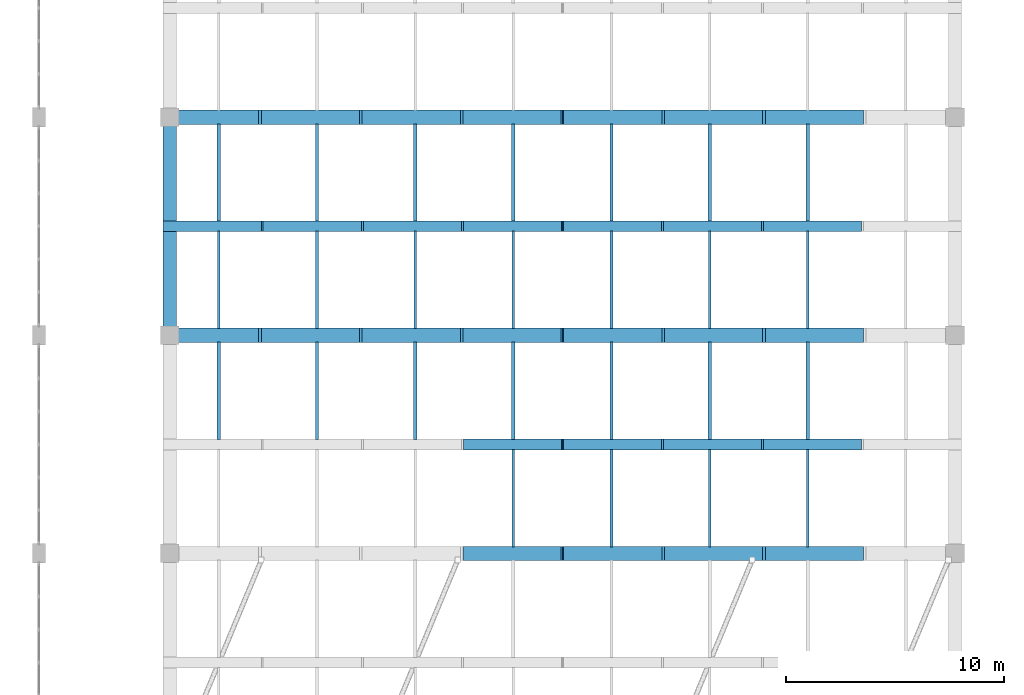
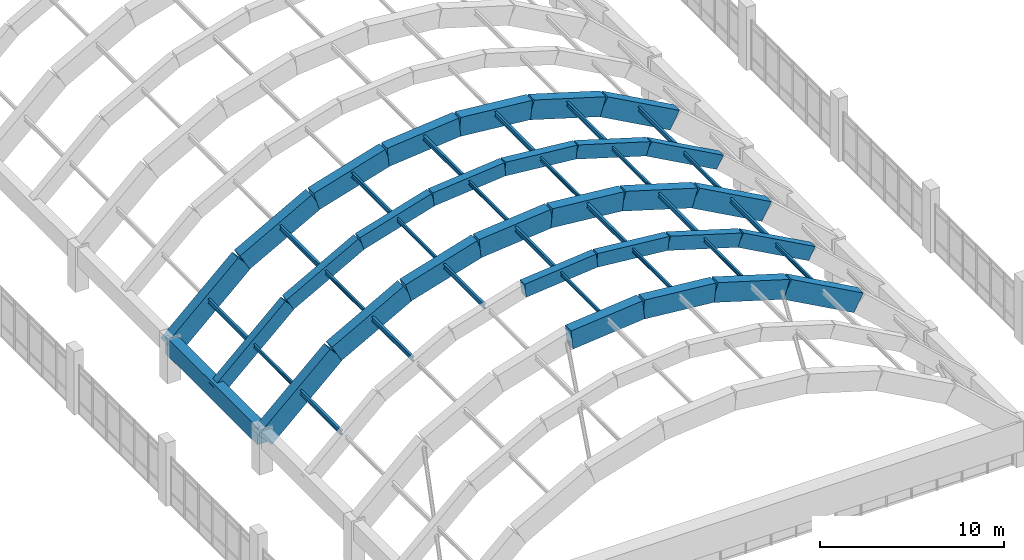
# One storey, part 68 of 111: 30 beams, 25 members.
"""IFC4 building model written with IfcOpenShell, lengths in metres."""

import ifcopenshell
import ifcopenshell.guid

model = None  # the IFC model being written
_history = None  # IfcOwnerHistory: only IFC2X3 demands one
_inside = {}  # id of a spatial element -> (the spatial element, [elements in it])
_under = {}  # id of a project, library or spatial element -> (it, [spatial elements below it])
_declared = {}  # id of a project -> (the project, [libraries it declares])
_typed = {}  # id of a type object -> (the type object, [elements of that type])
_made_of = {}  # id of a material, layer set ... -> (it, [elements and type objects made of it])


def new_model(schema):
    """Start an empty IFC model of exactly this schema.

    Asked for "IFC4X3", IfcOpenShell would pick the latest addendum, in which some entities
    have other attributes; the version numbers below select the first issue.
    IFC2X3 requires an IfcOwnerHistory on every rooted entity: one is made here for all.
    """
    global model, _history
    if schema == "IFC4X3":
        model = ifcopenshell.file(schema_version=(4, 3, 0, 0))
    else:
        model = ifcopenshell.file(schema=schema)
    _inside.clear()
    _under.clear()
    _declared.clear()
    _typed.clear()
    _made_of.clear()
    _history = None
    if model.schema == "IFC2X3":
        org = make("IfcOrganization", Name="unknown")
        user = make(
            "IfcPersonAndOrganization",
            ThePerson=make("IfcPerson", FamilyName="unknown"),
            TheOrganization=org,
        )
        app = make(
            "IfcApplication",
            ApplicationDeveloper=org,
            Version="unknown",
            ApplicationFullName="unknown",
            ApplicationIdentifier="unknown",
        )
        _history = make(
            "IfcOwnerHistory",
            OwningUser=user,
            OwningApplication=app,
            ChangeAction="ADDED",
            CreationDate=0,
        )
    return model


def make(cls, **values):
    """One entity of the class cls with the attributes given. An attribute that is None is left unset."""
    return model.create_entity(
        cls, **{name: value for name, value in values.items() if value is not None}
    )


def rooted(cls, **values):
    """An entity with a GlobalId (a new one), such as an element, a storey or a relation."""
    return make(cls, GlobalId=ifcopenshell.guid.new(), OwnerHistory=_history, **values)


def si_unit(unit_type, name, prefix=None):
    """IfcSIUnit, for example si_unit("LENGTHUNIT", "METRE", prefix="MILLI")."""
    return make("IfcSIUnit", UnitType=unit_type, Prefix=prefix, Name=name)


def assignment(units):
    """IfcUnitAssignment: the units of a project."""
    return None if units is None else make("IfcUnitAssignment", Units=units)


def point(xyz):
    """IfcCartesianPoint."""
    return None if xyz is None else make("IfcCartesianPoint", Coordinates=xyz)


def direction(xyz):
    """IfcDirection."""
    return None if xyz is None else make("IfcDirection", DirectionRatios=xyz)


def frame(location, z_axis=None, x_axis=None):
    """IfcAxis2Placement3D, a coordinate frame: its origin and axes. An axis left out is left unset."""
    return make(
        "IfcAxis2Placement3D",
        Location=point(location),
        Axis=direction(z_axis),
        RefDirection=direction(x_axis),
    )


def frame_2d(location, x_axis=None):
    """IfcAxis2Placement2D, a coordinate frame in the plane: its origin and x axis."""
    return make(
        "IfcAxis2Placement2D", Location=point(location), RefDirection=direction(x_axis)
    )


def origin():
    """The frame at (0, 0, 0) with its axes left unset."""
    return frame((0.0, 0.0, 0.0))


def origin_2d():
    """The frame at (0, 0) in the plane with its x axis left unset."""
    return frame_2d((0.0, 0.0))


def place(relative_to, where):
    """IfcLocalPlacement: puts the frame where relative to a parent placement (None: the world)."""
    return make(
        "IfcLocalPlacement", PlacementRelTo=relative_to, RelativePlacement=where
    )


def context(
    kind, dimensions, precision=None, world=None, true_north=None, identifier=None
):
    """IfcGeometricRepresentationContext, for example the 3D "Model" context."""
    return make(
        "IfcGeometricRepresentationContext",
        ContextIdentifier=identifier,
        ContextType=kind,
        CoordinateSpaceDimension=dimensions,
        Precision=precision,
        WorldCoordinateSystem=world,
        TrueNorth=true_north,
    )


def subcontext(parent, identifier, kind, view, scale=None):
    """IfcGeometricRepresentationSubContext, for example "Body" below "Model"."""
    return make(
        "IfcGeometricRepresentationSubContext",
        ContextIdentifier=identifier,
        ContextType=kind,
        ParentContext=parent,
        TargetScale=scale,
        TargetView=view,
    )


def project(units=None, contexts=None):
    """IfcProject with its units and contexts."""
    return rooted(
        "IfcProject",
        Name="project",
        RepresentationContexts=contexts,
        UnitsInContext=assignment(units),
    )


def spatial(cls, under=None, at=None, **own):
    """A site, building, storey or space (cls), placed at a placement, below another one or the project."""
    s = rooted(cls, ObjectPlacement=at, **own)
    if under is not None:
        _under.setdefault(under.id(), (under, []))[1].append(s)
    return s


def profile(cls, at=None, kind="AREA", **sizes):
    """A parametric profile (cls). Its sizes go by their IFC names, for example OverallWidth=200.0."""
    return make(cls, ProfileType=kind, Position=at, **sizes)


def rectangle(**sizes):
    """IfcRectangleProfileDef."""
    return profile("IfcRectangleProfileDef", **sizes)


def i_section(**sizes):
    """IfcIShapeProfileDef."""
    return profile("IfcIShapeProfileDef", **sizes)


def extrude(swept, where, along, depth):
    """IfcExtrudedAreaSolid: the profile swept, set in the frame where, extruded along a direction by depth."""
    return make(
        "IfcExtrudedAreaSolid",
        SweptArea=swept,
        Position=where,
        ExtrudedDirection=direction(along),
        Depth=depth,
    )


def shape(context_of_items, identifier, shape_type, items):
    """IfcShapeRepresentation: the items that make up one representation, for example the "Body"."""
    return make(
        "IfcShapeRepresentation",
        ContextOfItems=context_of_items,
        RepresentationIdentifier=identifier,
        RepresentationType=shape_type,
        Items=items,
    )


def material(Name=None, Category=None):
    """IfcMaterial."""
    return make("IfcMaterial", Name=Name, Category=Category)


def material_profile(
    of_material, cross_section, Name=None, Category=None, Priority=None
):
    """IfcMaterialProfile: a cross section and its material."""
    return make(
        "IfcMaterialProfile",
        Name=Name,
        Material=of_material,
        Profile=cross_section,
        Priority=Priority,
        Category=Category,
    )


def profile_set(profiles, Name=None, composite=None):
    """IfcMaterialProfileSet."""
    return make(
        "IfcMaterialProfileSet",
        Name=Name,
        MaterialProfiles=profiles,
        CompositeProfile=composite,
    )


def made_of(thing, what):
    """Note that an element or type object is made of a material, layer set ...; save() writes the relation."""
    if what is not None:
        _made_of.setdefault(what.id(), (what, []))[1].append(thing)
    return thing


def type_object(cls, material=None, **own):
    """A type object (cls), such as IfcWallType, which elements share."""
    return made_of(rooted(cls, **own), material)


def element(
    cls,
    number,
    at=None,
    inside=None,
    cuts=None,
    type_object=None,
    material=None,
    context=None,
    identifier="Body",
    shape_type=None,
    held_by="IfcProductDefinitionShape",
    body=None,
    shapes=None,
    **own,
):
    """One element of the class cls, such as IfcWall. Its Tag is "e" and its number.

    at: its placement. inside: the storey or other place that contains it. cuts: it is an
    opening in that element (IfcRelVoidsElement). A single representation is given by context,
    identifier, shape_type and body (its items); several are given by shapes. held_by: the class
    of the entity that holds the representations. save() writes the other relations.
    """
    e = rooted(cls, Tag="e%d" % number, ObjectPlacement=at, **own)
    if body is not None:
        shapes = [shape(context, identifier, shape_type, body)]
    if shapes is not None:
        e.Representation = make(held_by, Representations=shapes)
    if inside is not None:
        _inside.setdefault(inside.id(), (inside, []))[1].append(e)
    if cuts is not None:
        rooted(
            "IfcRelVoidsElement", RelatingBuildingElement=cuts, RelatedOpeningElement=e
        )
    if type_object is not None:
        _typed.setdefault(type_object.id(), (type_object, []))[1].append(e)
    return made_of(e, material)


def aggregate(whole, parts):
    """IfcRelAggregates: a whole, such as a stair, and the parts it consists of."""
    return rooted("IfcRelAggregates", RelatingObject=whole, RelatedObjects=parts)


def save(model, path):
    """Write the relations noted so far, then the file.

    IfcRelAggregates (storeys below a building ...), IfcRelContainedInSpatialStructure (elements
    in a storey), IfcRelDefinesByType, IfcRelAssociatesMaterial and IfcRelDeclares: one each for
    every whole, place, type object, material and project.
    """
    for whole, parts in _under.values():
        aggregate(whole, parts)
    for where, things in _inside.values():
        rooted(
            "IfcRelContainedInSpatialStructure",
            RelatedElements=things,
            RelatingStructure=where,
        )
    for kind, things in _typed.values():
        rooted("IfcRelDefinesByType", RelatedObjects=things, RelatingType=kind)
    for what, things in _made_of.values():
        rooted("IfcRelAssociatesMaterial", RelatedObjects=things, RelatingMaterial=what)
    for by, libraries in _declared.values():
        rooted("IfcRelDeclares", RelatingContext=by, RelatedDefinitions=libraries)
    model.write(path)


model = new_model("IFC4")

# Units and contexts
model_context = context("Model", 3, precision=1e-05, world=origin(), true_north=direction((0.0, 1.0)))
body_context = subcontext(model_context, "Body", "Model", "MODEL_VIEW")
ifc_project = project(units=[si_unit("LENGTHUNIT", "METRE"), si_unit("AREAUNIT", "SQUARE_METRE"), si_unit("VOLUMEUNIT", "CUBIC_METRE"), si_unit("PLANEANGLEUNIT", "RADIAN"), si_unit("MASSUNIT", "GRAM", prefix="KILO")], contexts=[model_context])

# Site, building, storey
site_placement = place(None, origin())
site = spatial("IfcSite", under=ifc_project, at=site_placement, CompositionType="ELEMENT")
building_placement = place(site_placement, origin())
building = spatial("IfcBuilding", under=site, at=building_placement, Name="Mersad Railyard Sports Hall", CompositionType="ELEMENT")
storey_placement = place(building_placement, frame((0.0, 0.0, 9.0)))
storey = spatial("IfcBuildingStorey", under=building, at=storey_placement, Name="L02", CompositionType="ELEMENT", Elevation=9.0)

# Beams
ifc_material_1 = material(Name="Concrete C50/60", Category="concrete")
ifc_material_profile_1 = material_profile(ifc_material_1, rectangle(XDim=0.60009765625, YDim=1.14990234375, at=origin_2d()), Name="RC 600x1150")
ifc_profile_set_1 = profile_set([ifc_material_profile_1], Name="Concrete C50/60")
beam_type_1 = type_object("IfcBeamType", Name="STR-BM-B05", PredefinedType="BEAM", material=ifc_profile_set_1)
beam_1_placement = place(storey_placement, frame((137.0, 23.5, 2.300048828125), z_axis=(0.0, 1.0, 0.0), x_axis=(-1.0, 0.0, 0.0)))
element("IfcBeam", 1, at=beam_1_placement, inside=storey, type_object=beam_type_1, Name="Beam B05-0709", PredefinedType="BEAM", context=body_context, shape_type="SweptSolid", body=[
    extrude(rectangle(XDim=0.60009765625, YDim=1.14990234375, at=origin_2d()), origin(), (0.0, 0.0, 1.0), 10.0),
])
ifc_material_2 = material(Name="Architectural concrete C50/60", Category="concrete")
ifc_material_profile_2 = material_profile(ifc_material_2, rectangle(XDim=0.64990234375, YDim=1.25, at=origin_2d()), Name="VR 650x1250")
ifc_profile_set_2 = profile_set([ifc_material_profile_2], Name="Architectural concrete C50/60")
beam_type_2 = type_object("IfcBeamType", Name="STR-BM-VR01", PredefinedType="BEAM", material=ifc_profile_set_2)
for number, where, z_axis, x_axis, name in (
    (2, (150.5, 13.5, 10.11474609375), (0.995353854101, 0.0, 0.096284500969), (0.0, 1.0, 0.0), "Beam VR01-0740"),
    (3, (155.0, 13.5, 10.550048828125), (0.995353854101, 0.0, -0.096284500969), (0.0, 1.0, 0.0), "Beam VR01-0741"),
):
    element("IfcBeam", number, at=place(storey_placement, frame(where, z_axis=z_axis, x_axis=x_axis)), inside=storey, type_object=beam_type_2, Name=name, PredefinedType="BEAM", context=body_context, shape_type="SweptSolid", body=[
        extrude(rectangle(XDim=0.64990234375, YDim=1.25, at=origin_2d()), origin(), (0.0, 0.0, 1.0), 4.52099609375),
    ])
beam_2_placement = place(storey_placement, frame((159.5, 13.5, 10.11474609375), z_axis=(0.957376232028, 0.0, -0.288843816531), x_axis=(0.0, 1.0, 0.0)))
element("IfcBeam", 4, at=beam_2_placement, inside=storey, type_object=beam_type_2, Name="Beam VR01-0742", PredefinedType="BEAM", context=body_context, shape_type="SweptSolid", body=[
    extrude(rectangle(XDim=0.64990234375, YDim=1.25, at=origin_2d()), origin(), (0.0, 0.0, 1.0), 4.700439453125),
])
beam_3_placement = place(storey_placement, frame((164.0, 13.5, 8.757080078125), z_axis=(0.876227952683, 0.0, -0.48189685093), x_axis=(0.0, 1.0, 0.0)))
element("IfcBeam", 5, at=beam_3_placement, inside=storey, type_object=beam_type_2, Name="Beam VR01-0743", PredefinedType="BEAM", context=body_context, shape_type="SweptSolid", body=[
    extrude(rectangle(XDim=0.64990234375, YDim=1.25, at=origin_2d()), origin(), (0.0, 0.0, 1.0), 5.1357421875),
])
beam_4_placement = place(storey_placement, frame((137.0, 23.5, 2.14990234375), z_axis=(0.736556702909, 0.0, 0.676375800425), x_axis=(0.0, 1.0, 0.0)))
element("IfcBeam", 6, at=beam_4_placement, inside=storey, type_object=beam_type_2, Name="Beam VR01-0753", PredefinedType="BEAM", context=body_context, shape_type="SweptSolid", body=[
    extrude(rectangle(XDim=0.64990234375, YDim=1.25, at=origin_2d()), origin(), (0.0, 0.0, 1.0), 6.109619140625),
])
beam_5_placement = place(storey_placement, frame((141.5, 23.5, 6.2822265625), z_axis=(0.876227952683, 0.0, 0.48189685093), x_axis=(0.0, 1.0, 0.0)))
element("IfcBeam", 7, at=beam_5_placement, inside=storey, type_object=beam_type_2, Name="Beam VR01-0754", PredefinedType="BEAM", context=body_context, shape_type="SweptSolid", body=[
    extrude(rectangle(XDim=0.64990234375, YDim=1.25, at=origin_2d()), origin(), (0.0, 0.0, 1.0), 5.1357421875),
])
beam_6_placement = place(storey_placement, frame((146.0, 23.5, 8.757080078125), z_axis=(0.957376232028, 0.0, 0.288843816531), x_axis=(0.0, 1.0, 0.0)))
element("IfcBeam", 8, at=beam_6_placement, inside=storey, type_object=beam_type_2, Name="Beam VR01-0755", PredefinedType="BEAM", context=body_context, shape_type="SweptSolid", body=[
    extrude(rectangle(XDim=0.64990234375, YDim=1.25, at=origin_2d()), origin(), (0.0, 0.0, 1.0), 4.700439453125),
])
for number, where, z_axis, x_axis, name in (
    (9, (150.5, 23.5, 10.11474609375), (0.995353854101, 0.0, 0.096284500969), (0.0, 1.0, 0.0), "Beam VR01-0756"),
    (10, (155.0, 23.5, 10.550048828125), (0.995353854101, 0.0, -0.096284500969), (0.0, 1.0, 0.0), "Beam VR01-0757"),
):
    element("IfcBeam", number, at=place(storey_placement, frame(where, z_axis=z_axis, x_axis=x_axis)), inside=storey, type_object=beam_type_2, Name=name, PredefinedType="BEAM", context=body_context, shape_type="SweptSolid", body=[
        extrude(rectangle(XDim=0.64990234375, YDim=1.25, at=origin_2d()), origin(), (0.0, 0.0, 1.0), 4.52099609375),
    ])
beam_7_placement = place(storey_placement, frame((159.5, 23.5, 10.11474609375), z_axis=(0.957376232028, 0.0, -0.288843816531), x_axis=(0.0, 1.0, 0.0)))
element("IfcBeam", 11, at=beam_7_placement, inside=storey, type_object=beam_type_2, Name="Beam VR01-0758", PredefinedType="BEAM", context=body_context, shape_type="SweptSolid", body=[
    extrude(rectangle(XDim=0.64990234375, YDim=1.25, at=origin_2d()), origin(), (0.0, 0.0, 1.0), 4.700439453125),
])
beam_8_placement = place(storey_placement, frame((164.0, 23.5, 8.757080078125), z_axis=(0.876227952683, 0.0, -0.48189685093), x_axis=(0.0, 1.0, 0.0)))
element("IfcBeam", 12, at=beam_8_placement, inside=storey, type_object=beam_type_2, Name="Beam VR01-0759", PredefinedType="BEAM", context=body_context, shape_type="SweptSolid", body=[
    extrude(rectangle(XDim=0.64990234375, YDim=1.25, at=origin_2d()), origin(), (0.0, 0.0, 1.0), 5.1357421875),
])
beam_9_placement = place(storey_placement, frame((137.0, 33.5, 2.14990234375), z_axis=(0.736556702909, 0.0, 0.676375800425), x_axis=(0.0, 1.0, 0.0)))
element("IfcBeam", 13, at=beam_9_placement, inside=storey, type_object=beam_type_2, Name="Beam VR01-0769", PredefinedType="BEAM", context=body_context, shape_type="SweptSolid", body=[
    extrude(rectangle(XDim=0.64990234375, YDim=1.25, at=origin_2d()), origin(), (0.0, 0.0, 1.0), 6.109619140625),
])
beam_10_placement = place(storey_placement, frame((141.5, 33.5, 6.2822265625), z_axis=(0.876227952683, 0.0, 0.48189685093), x_axis=(0.0, 1.0, 0.0)))
element("IfcBeam", 14, at=beam_10_placement, inside=storey, type_object=beam_type_2, Name="Beam VR01-0770", PredefinedType="BEAM", context=body_context, shape_type="SweptSolid", body=[
    extrude(rectangle(XDim=0.64990234375, YDim=1.25, at=origin_2d()), origin(), (0.0, 0.0, 1.0), 5.1357421875),
])
beam_11_placement = place(storey_placement, frame((146.0, 33.5, 8.757080078125), z_axis=(0.957376232028, 0.0, 0.288843816531), x_axis=(0.0, 1.0, 0.0)))
element("IfcBeam", 15, at=beam_11_placement, inside=storey, type_object=beam_type_2, Name="Beam VR01-0771", PredefinedType="BEAM", context=body_context, shape_type="SweptSolid", body=[
    extrude(rectangle(XDim=0.64990234375, YDim=1.25, at=origin_2d()), origin(), (0.0, 0.0, 1.0), 4.700439453125),
])
for number, where, z_axis, x_axis, name in (
    (16, (150.5, 33.5, 10.11474609375), (0.995353854101, 0.0, 0.096284500969), (0.0, 1.0, 0.0), "Beam VR01-0772"),
    (17, (155.0, 33.5, 10.550048828125), (0.995353854101, 0.0, -0.096284500969), (0.0, 1.0, 0.0), "Beam VR01-0773"),
):
    element("IfcBeam", number, at=place(storey_placement, frame(where, z_axis=z_axis, x_axis=x_axis)), inside=storey, type_object=beam_type_2, Name=name, PredefinedType="BEAM", context=body_context, shape_type="SweptSolid", body=[
        extrude(rectangle(XDim=0.64990234375, YDim=1.25, at=origin_2d()), origin(), (0.0, 0.0, 1.0), 4.52099609375),
    ])
beam_12_placement = place(storey_placement, frame((159.5, 33.5, 10.11474609375), z_axis=(0.957376232028, 0.0, -0.288843816531), x_axis=(0.0, 1.0, 0.0)))
element("IfcBeam", 18, at=beam_12_placement, inside=storey, type_object=beam_type_2, Name="Beam VR01-0774", PredefinedType="BEAM", context=body_context, shape_type="SweptSolid", body=[
    extrude(rectangle(XDim=0.64990234375, YDim=1.25, at=origin_2d()), origin(), (0.0, 0.0, 1.0), 4.700439453125),
])
beam_13_placement = place(storey_placement, frame((164.0, 33.5, 8.757080078125), z_axis=(0.876227952683, 0.0, -0.48189685093), x_axis=(0.0, 1.0, 0.0)))
element("IfcBeam", 19, at=beam_13_placement, inside=storey, type_object=beam_type_2, Name="Beam VR01-0775", PredefinedType="BEAM", context=body_context, shape_type="SweptSolid", body=[
    extrude(rectangle(XDim=0.64990234375, YDim=1.25, at=origin_2d()), origin(), (0.0, 0.0, 1.0), 5.1357421875),
])
ifc_material_profile_3 = material_profile(ifc_material_2, rectangle(XDim=0.5, YDim=0.89990234375, at=origin_2d()), Name="VR 500x900")
ifc_profile_set_3 = profile_set([ifc_material_profile_3], Name="Architectural concrete C50/60")
beam_type_3 = type_object("IfcBeamType", Name="STR-BM-VR02", PredefinedType="BEAM", material=ifc_profile_set_3)
for number, where, z_axis, x_axis, name in (
    (20, (150.5, 18.5, 10.304931640625), (0.99535902803, 0.0, 0.09623099978), (0.0, 1.0, 0.0), "Beam VR02-0748"),
    (21, (155.0, 18.5, 10.739990234375), (0.99535902803, 0.0, -0.09623099978), (0.0, 1.0, 0.0), "Beam VR02-0749"),
):
    element("IfcBeam", number, at=place(storey_placement, frame(where, z_axis=z_axis, x_axis=x_axis)), inside=storey, type_object=beam_type_3, Name=name, PredefinedType="BEAM", context=body_context, shape_type="SweptSolid", body=[
        extrude(rectangle(XDim=0.5, YDim=0.89990234375, at=origin_2d()), origin(), (0.0, 0.0, 1.0), 4.52099609375),
    ])
beam_14_placement = place(storey_placement, frame((159.5, 18.5, 10.304931640625), z_axis=(0.957361867705, 0.0, -0.288891422969), x_axis=(0.0, 1.0, 0.0)))
element("IfcBeam", 22, at=beam_14_placement, inside=storey, type_object=beam_type_3, Name="Beam VR02-0750", PredefinedType="BEAM", context=body_context, shape_type="SweptSolid", body=[
    extrude(rectangle(XDim=0.5, YDim=0.89990234375, at=origin_2d()), origin(), (0.0, 0.0, 1.0), 4.700439453125),
])
beam_15_placement = place(storey_placement, frame((164.0, 18.5, 8.947021484375), z_axis=(0.876227952683, 0.0, -0.48189685093), x_axis=(0.0, 1.0, 0.0)))
element("IfcBeam", 23, at=beam_15_placement, inside=storey, type_object=beam_type_3, Name="Beam VR02-0751", PredefinedType="BEAM", context=body_context, shape_type="SweptSolid", body=[
    extrude(rectangle(XDim=0.5, YDim=0.89990234375, at=origin_2d()), origin(), (0.0, 0.0, 1.0), 5.1357421875),
])
beam_16_placement = place(storey_placement, frame((137.0, 28.5, 2.340087890625), z_axis=(0.736576611143, 0.0, 0.676354120204), x_axis=(0.0, 1.0, 0.0)))
element("IfcBeam", 24, at=beam_16_placement, inside=storey, type_object=beam_type_3, Name="Beam VR02-0761", PredefinedType="BEAM", context=body_context, shape_type="SweptSolid", body=[
    extrude(rectangle(XDim=0.5, YDim=0.89990234375, at=origin_2d()), origin(), (0.0, 0.0, 1.0), 6.109375),
])
beam_17_placement = place(storey_placement, frame((141.5, 28.5, 6.47216796875), z_axis=(0.876227952683, 0.0, 0.48189685093), x_axis=(0.0, 1.0, 0.0)))
element("IfcBeam", 25, at=beam_17_placement, inside=storey, type_object=beam_type_3, Name="Beam VR02-0762", PredefinedType="BEAM", context=body_context, shape_type="SweptSolid", body=[
    extrude(rectangle(XDim=0.5, YDim=0.89990234375, at=origin_2d()), origin(), (0.0, 0.0, 1.0), 5.1357421875),
])
beam_18_placement = place(storey_placement, frame((146.0, 28.5, 8.947021484375), z_axis=(0.957361867705, 0.0, 0.288891422969), x_axis=(0.0, 1.0, 0.0)))
element("IfcBeam", 26, at=beam_18_placement, inside=storey, type_object=beam_type_3, Name="Beam VR02-0763", PredefinedType="BEAM", context=body_context, shape_type="SweptSolid", body=[
    extrude(rectangle(XDim=0.5, YDim=0.89990234375, at=origin_2d()), origin(), (0.0, 0.0, 1.0), 4.700439453125),
])
for number, where, z_axis, x_axis, name in (
    (27, (150.5, 28.5, 10.304931640625), (0.99535902803, 0.0, 0.09623099978), (0.0, 1.0, 0.0), "Beam VR02-0764"),
    (28, (155.0, 28.5, 10.739990234375), (0.99535902803, 0.0, -0.09623099978), (0.0, 1.0, 0.0), "Beam VR02-0765"),
):
    element("IfcBeam", number, at=place(storey_placement, frame(where, z_axis=z_axis, x_axis=x_axis)), inside=storey, type_object=beam_type_3, Name=name, PredefinedType="BEAM", context=body_context, shape_type="SweptSolid", body=[
        extrude(rectangle(XDim=0.5, YDim=0.89990234375, at=origin_2d()), origin(), (0.0, 0.0, 1.0), 4.52099609375),
    ])
beam_19_placement = place(storey_placement, frame((159.5, 28.5, 10.304931640625), z_axis=(0.957361867705, 0.0, -0.288891422969), x_axis=(0.0, 1.0, 0.0)))
element("IfcBeam", 29, at=beam_19_placement, inside=storey, type_object=beam_type_3, Name="Beam VR02-0766", PredefinedType="BEAM", context=body_context, shape_type="SweptSolid", body=[
    extrude(rectangle(XDim=0.5, YDim=0.89990234375, at=origin_2d()), origin(), (0.0, 0.0, 1.0), 4.700439453125),
])
beam_20_placement = place(storey_placement, frame((164.0, 28.5, 8.947021484375), z_axis=(0.876227952683, 0.0, -0.48189685093), x_axis=(0.0, 1.0, 0.0)))
element("IfcBeam", 30, at=beam_20_placement, inside=storey, type_object=beam_type_3, Name="Beam VR02-0767", PredefinedType="BEAM", context=body_context, shape_type="SweptSolid", body=[
    extrude(rectangle(XDim=0.5, YDim=0.89990234375, at=origin_2d()), origin(), (0.0, 0.0, 1.0), 5.1357421875),
])

# Members
ifc_material_3 = material(Name="Steel S355", Category="steel")
ifc_material_profile_4 = material_profile(ifc_material_3, i_section(OverallWidth=0.1201171875, OverallDepth=0.239990234375, WebThickness=0.006103515625, FlangeThickness=0.009765625, at=origin_2d()), Name="IPE 240")
ifc_profile_set_4 = profile_set([ifc_material_profile_4], Name="Steel S355")
member_type_1 = type_object("IfcMemberType", Name="STR-MEM-PU01", PredefinedType="PURLIN", material=ifc_profile_set_4)
for number, where, z_axis, x_axis, name in (
    (31, (152.75, 13.804931640625, 10.662353515625), (0.0, 1.0, 0.0), (-1.0, 0.0, 0.0), "Structural member PU01-0120"),
    (32, (157.25, 13.804931640625, 10.662353515625), (0.0, 1.0, 0.0), (-1.0, 0.0, 0.0), "Structural member PU01-0122"),
    (33, (161.75, 13.804931640625, 9.765869140625), (0.0, 1.0, 0.0), (-1.0, 0.0, 0.0), "Structural member PU01-0124"),
    (34, (166.25, 13.804931640625, 7.849609375), (0.0, 1.0, 0.0), (-1.0, 0.0, 0.0), "Structural member PU01-0126"),
    (35, (139.25, 23.804931640625, 4.546142578125), (0.0, 1.0, 0.0), (-1.0, 0.0, 0.0), "Structural member PU01-0130"),
    (36, (143.75, 23.804931640625, 7.849609375), (0.0, 1.0, 0.0), (-1.0, 0.0, 0.0), "Structural member PU01-0132"),
    (37, (148.25, 23.804931640625, 9.765869140625), (0.0, 1.0, 0.0), (-1.0, 0.0, 0.0), "Structural member PU01-0134"),
    (38, (152.75, 23.804931640625, 10.662353515625), (0.0, 1.0, 0.0), (-1.0, 0.0, 0.0), "Structural member PU01-0136"),
    (39, (157.25, 23.804931640625, 10.662353515625), (0.0, 1.0, 0.0), (-1.0, 0.0, 0.0), "Structural member PU01-0138"),
    (40, (161.75, 23.804931640625, 9.765869140625), (0.0, 1.0, 0.0), (-1.0, 0.0, 0.0), "Structural member PU01-0140"),
    (41, (166.25, 23.804931640625, 7.849609375), (0.0, 1.0, 0.0), (-1.0, 0.0, 0.0), "Structural member PU01-0142"),
):
    element("IfcMember", number, at=place(storey_placement, frame(where, z_axis=z_axis, x_axis=x_axis)), inside=storey, type_object=member_type_1, Name=name, PredefinedType="PURLIN", context=body_context, shape_type="SweptSolid", body=[
        extrude(i_section(OverallWidth=0.1201171875, OverallDepth=0.239990234375, WebThickness=0.006103515625, FlangeThickness=0.009765625, at=origin_2d()), origin(), (0.0, 0.0, 1.0), 4.465087890625),
    ])
ifc_material_profile_5 = material_profile(ifc_material_3, i_section(OverallWidth=0.14990234375, OverallDepth=0.300048828125, WebThickness=0.007080078125, FlangeThickness=0.0107421875, at=origin_2d()), Name="IPE 300")
ifc_profile_set_5 = profile_set([ifc_material_profile_5], Name="Steel S355")
member_type_2 = type_object("IfcMemberType", Name="STR-MEM-PU02", PredefinedType="PURLIN", material=ifc_profile_set_5)
for number, where, z_axis, x_axis, name in (
    (42, (139.25, 18.72998046875, 4.546142578125), (0.0, 1.0, 0.0), (-1.0, 0.0, 0.0), "Structural member PU02-0115"),
    (43, (143.75, 18.72998046875, 7.849609375), (0.0, 1.0, 0.0), (-1.0, 0.0, 0.0), "Structural member PU02-0117"),
    (44, (148.25, 18.72998046875, 9.765869140625), (0.0, 1.0, 0.0), (-1.0, 0.0, 0.0), "Structural member PU02-0119"),
    (45, (152.75, 18.72998046875, 10.662353515625), (0.0, 1.0, 0.0), (-1.0, 0.0, 0.0), "Structural member PU02-0121"),
    (46, (157.25, 18.72998046875, 10.662353515625), (0.0, 1.0, 0.0), (-1.0, 0.0, 0.0), "Structural member PU02-0123"),
    (47, (161.75, 18.72998046875, 9.765869140625), (0.0, 1.0, 0.0), (-1.0, 0.0, 0.0), "Structural member PU02-0125"),
    (48, (166.25, 18.72998046875, 7.849609375), (0.0, 1.0, 0.0), (-1.0, 0.0, 0.0), "Structural member PU02-0127"),
    (49, (139.25, 28.72998046875, 4.546142578125), (0.0, 1.0, 0.0), (-1.0, 0.0, 0.0), "Structural member PU02-0131"),
    (50, (143.75, 28.72998046875, 7.849609375), (0.0, 1.0, 0.0), (-1.0, 0.0, 0.0), "Structural member PU02-0133"),
    (51, (148.25, 28.72998046875, 9.765869140625), (0.0, 1.0, 0.0), (-1.0, 0.0, 0.0), "Structural member PU02-0135"),
    (52, (152.75, 28.72998046875, 10.662353515625), (0.0, 1.0, 0.0), (-1.0, 0.0, 0.0), "Structural member PU02-0137"),
    (53, (157.25, 28.72998046875, 10.662353515625), (0.0, 1.0, 0.0), (-1.0, 0.0, 0.0), "Structural member PU02-0139"),
    (54, (161.75, 28.72998046875, 9.765869140625), (0.0, 1.0, 0.0), (-1.0, 0.0, 0.0), "Structural member PU02-0141"),
    (55, (166.25, 28.72998046875, 7.849609375), (0.0, 1.0, 0.0), (-1.0, 0.0, 0.0), "Structural member PU02-0143"),
):
    element("IfcMember", number, at=place(storey_placement, frame(where, z_axis=z_axis, x_axis=x_axis)), inside=storey, type_object=member_type_2, Name=name, PredefinedType="PURLIN", context=body_context, shape_type="SweptSolid", body=[
        extrude(i_section(OverallWidth=0.14990234375, OverallDepth=0.300048828125, WebThickness=0.007080078125, FlangeThickness=0.0107421875, at=origin_2d()), origin(), (0.0, 0.0, 1.0), 4.465087890625),
    ])

save(model, "model.ifc")
